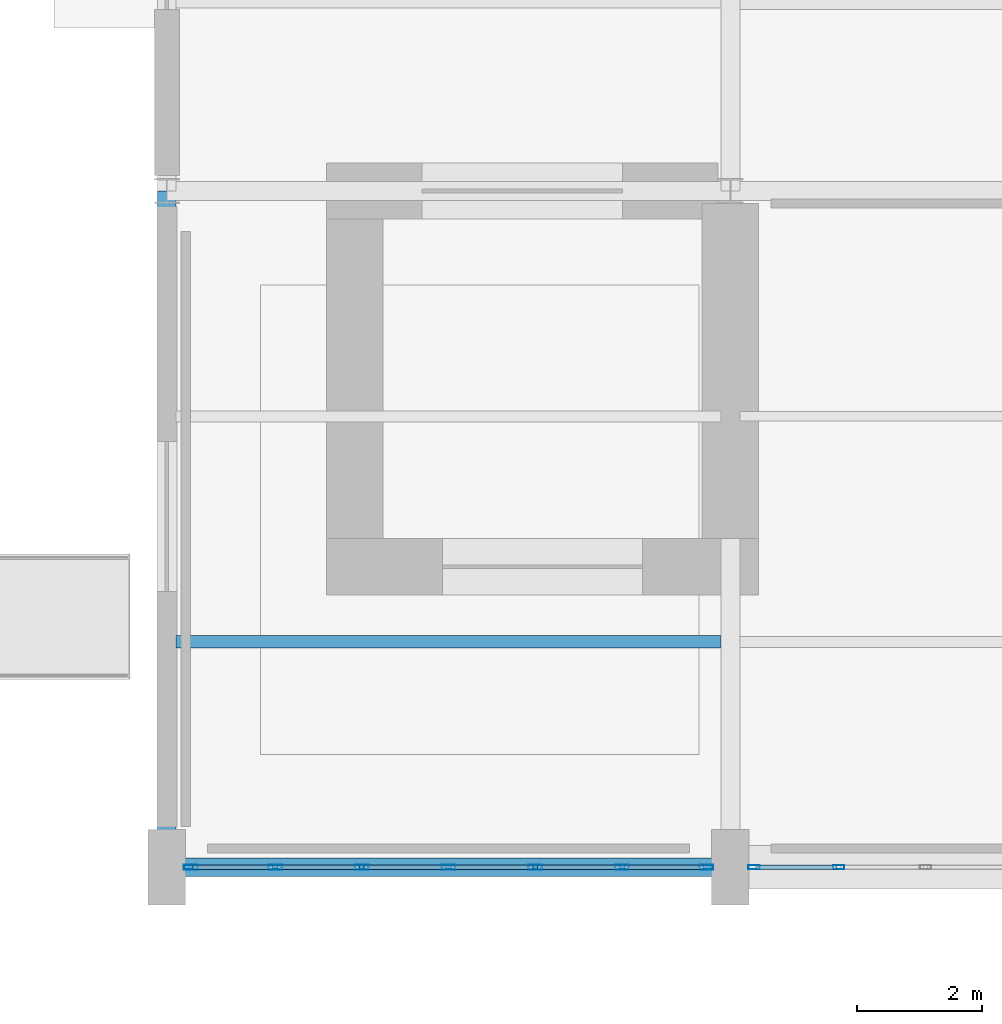
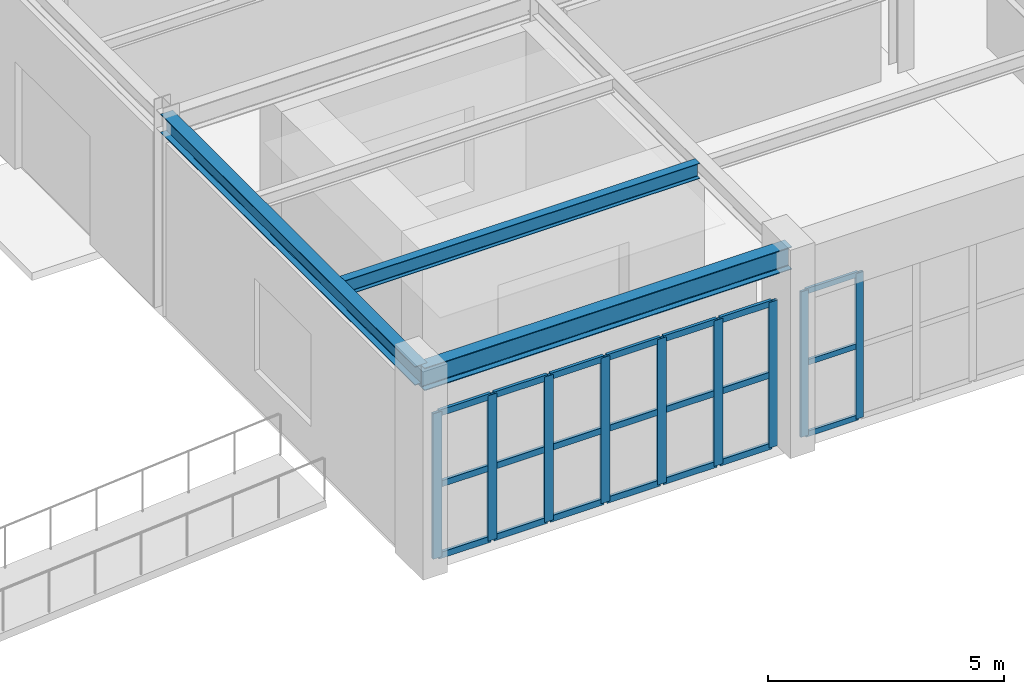
# One storey, part 23 of 140: 30 members, 3 beams, 2 elements without a shape of their own.
"""IFC4 building model written with IfcOpenShell, lengths in metres."""

from ifc_helpers import new_model, si_unit, direction, frame, origin, origin_2d, place, context, subcontext, project, spatial, hollow_rectangle, i_section, extrude, material, material_profile, profile_set, type_object, element, aggregate, save


model = new_model("IFC4")

# Units and contexts
model_context = context("Model", 3, precision=1e-05, world=origin(), true_north=direction((0.0, 1.0)))
body_context = subcontext(model_context, "Body", "Model", "MODEL_VIEW")
ifc_project = project(units=[si_unit("LENGTHUNIT", "METRE"), si_unit("AREAUNIT", "SQUARE_METRE"), si_unit("VOLUMEUNIT", "CUBIC_METRE"), si_unit("PLANEANGLEUNIT", "RADIAN"), si_unit("MASSUNIT", "GRAM", prefix="KILO")], contexts=[model_context])

# Site, building, storey
site_placement = place(None, origin())
site = spatial("IfcSite", under=ifc_project, at=site_placement, CompositionType="ELEMENT")
building_placement = place(site_placement, origin())
building = spatial("IfcBuilding", under=site, at=building_placement, Name="Haizhuo Lancet Aquarium", CompositionType="ELEMENT")
storey_placement = place(building_placement, origin())
storey = spatial("IfcBuildingStorey", under=building, at=storey_placement, Name="L00", CompositionType="ELEMENT", Elevation=0.0)

# Beams
ifc_material_1 = material(Name="Steel S355", Category="steel")
ifc_material_profile_1 = material_profile(ifc_material_1, i_section(OverallWidth=0.300048828125, OverallDepth=0.488037109375, WebThickness=0.010986328125, FlangeThickness=0.01806640625, FilletRadius=0.02392578125, at=origin_2d()), Name="HM 488x300x11x18")
ifc_profile_set_1 = profile_set([ifc_material_profile_1], Name="Steel S355")
beam_type_1 = type_object("IfcBeamType", Name="BM-ST-HM488", PredefinedType="BEAM", material=ifc_profile_set_1)
beam_1_placement = place(storey_placement, frame((-18.0, -55.800048828125, 4.8759765625), z_axis=(0.0, 1.0, 0.0), x_axis=(-1.0, 0.0, 0.0)))
element("IfcBeam", 1, at=beam_1_placement, inside=storey, type_object=beam_type_1, Name="L00 V4 primary girder BM-L00-V4-001", PredefinedType="BEAM", context=body_context, shape_type="SweptSolid", body=[
    extrude(i_section(OverallWidth=0.300048828125, OverallDepth=0.488037109375, WebThickness=0.010986328125, FlangeThickness=0.01806640625, FilletRadius=0.02392578125, at=origin_2d()), origin(), (0.0, 0.0, 1.0), 10.800048828125),
])
ifc_material_profile_2 = material_profile(ifc_material_1, i_section(OverallWidth=0.300048828125, OverallDepth=0.587890625, WebThickness=0.011962890625, FlangeThickness=0.02001953125, FilletRadius=0.02587890625, at=origin_2d()), Name="HM 588x300x12x20")
ifc_profile_set_2 = profile_set([ifc_material_profile_2], Name="Steel S355")
beam_type_2 = type_object("IfcBeamType", Name="BM-ST-HM588", PredefinedType="BEAM", material=ifc_profile_set_2)
beam_2_placement = place(storey_placement, frame((-18.0, -55.800048828125, 4.825927734375), z_axis=(1.0, 0.0, 0.0), x_axis=(0.0, 1.0, 0.0)))
element("IfcBeam", 2, at=beam_2_placement, inside=storey, type_object=beam_type_2, Name="L00 V4 primary girder BM-L00-V4-002", PredefinedType="BEAM", context=body_context, shape_type="SweptSolid", body=[
    extrude(i_section(OverallWidth=0.300048828125, OverallDepth=0.587890625, WebThickness=0.011962890625, FlangeThickness=0.02001953125, FilletRadius=0.02587890625, at=origin_2d()), origin(), (0.0, 0.0, 1.0), 9.0),
])

# Curtain wall, members
ifc_material_2 = material(Name="Aluminium 6063-T6", Category="aluminium")
curtain_wall_type = type_object("IfcCurtainWallType", Name="CWO-8310x3770", PredefinedType="NOTDEFINED", material=ifc_material_2)
curtain_wall_1_placement = place(storey_placement, origin())
curtain_wall_1 = element("IfcCurtainWall", 3, at=curtain_wall_1_placement, inside=storey, type_object=curtain_wall_type, Name="L00 curtain wall CW-V4-L00-088", PredefinedType="NOTDEFINED")
ifc_material_profile_3 = material_profile(ifc_material_2, hollow_rectangle(XDim=0.06494140625, YDim=0.179931640625, WallThickness=0.00390625, at=origin_2d()), Name="ALU-M 65x180x4")
ifc_profile_set_3 = profile_set([ifc_material_profile_3], Name="Aluminium 6063-T6")
member_type_1 = type_object("IfcMemberType", Name="CW-MUL-1", PredefinedType="MULLION", material=ifc_profile_set_3)
member_1_placement = place(storey_placement, frame((-7.27001953125, -55.800048828125, 0.0), z_axis=(0.0, 0.0, 1.0), x_axis=(0.0, -1.0, 0.0)))
member_1 = element("IfcMember", 4, at=member_1_placement, type_object=member_type_1, Name="CWO-83x37 mullion 6", PredefinedType="MULLION", context=body_context, shape_type="SweptSolid", body=[
    extrude(hollow_rectangle(XDim=0.06494140625, YDim=0.179931640625, WallThickness=0.00390625, at=origin_2d()), origin(), (0.0, 0.0, 1.0), 3.77001953125),
])
member_2_placement = place(storey_placement, frame((-8.6220703125, -55.800048828125, 0.0), z_axis=(0.0, 0.0, 1.0), x_axis=(0.0, -1.0, 0.0)))
member_2 = element("IfcMember", 5, at=member_2_placement, type_object=member_type_1, Name="CWO-83x37 mullion 7", PredefinedType="MULLION", context=body_context, shape_type="SweptSolid", body=[
    extrude(hollow_rectangle(XDim=0.06494140625, YDim=0.179931640625, WallThickness=0.00390625, at=origin_2d()), origin(), (0.0, 0.0, 1.0), 3.77001953125),
])

curtain_wall_2_placement = place(storey_placement, origin())
curtain_wall_2 = element("IfcCurtainWall", 6, at=curtain_wall_2_placement, inside=storey, type_object=curtain_wall_type, Name="L00 curtain wall CW-V4-L00-089", PredefinedType="NOTDEFINED")
ifc_material_profile_4 = material_profile(ifc_material_2, hollow_rectangle(XDim=0.074951171875, YDim=0.219970703125, WallThickness=0.0048828125, at=origin_2d()), Name="ALU-M 75x220x5")
ifc_profile_set_4 = profile_set([ifc_material_profile_4], Name="Aluminium 6063-T6")
member_type_2 = type_object("IfcMemberType", Name="CW-MUL-2", PredefinedType="MULLION", material=ifc_profile_set_4)
member_3_placement = place(storey_placement, frame((-9.383056640625, -55.800048828125, 0.0), z_axis=(0.0, 0.0, 1.0), x_axis=(0.0, -1.0, 0.0)))
member_3 = element("IfcMember", 7, at=member_3_placement, type_object=member_type_2, Name="CWO-83x37 mullion 1", PredefinedType="MULLION", context=body_context, shape_type="SweptSolid", body=[
    extrude(hollow_rectangle(XDim=0.074951171875, YDim=0.219970703125, WallThickness=0.0048828125, at=origin_2d()), origin(), (0.0, 0.0, 1.0), 3.77001953125),
])
member_4_placement = place(storey_placement, frame((-10.72998046875, -55.800048828125, 0.0), z_axis=(0.0, 0.0, 1.0), x_axis=(0.0, -1.0, 0.0)))
member_4 = element("IfcMember", 8, at=member_4_placement, type_object=member_type_2, Name="CWO-83x37 mullion 2", PredefinedType="MULLION", context=body_context, shape_type="SweptSolid", body=[
    extrude(hollow_rectangle(XDim=0.074951171875, YDim=0.219970703125, WallThickness=0.0048828125, at=origin_2d()), origin(), (0.0, 0.0, 1.0), 3.77001953125),
])
member_5_placement = place(storey_placement, frame((-12.114990234375, -55.800048828125, 0.0), z_axis=(0.0, 0.0, 1.0), x_axis=(0.0, -1.0, 0.0)))
member_5 = element("IfcMember", 9, at=member_5_placement, type_object=member_type_2, Name="CWO-83x37 mullion 3", PredefinedType="MULLION", context=body_context, shape_type="SweptSolid", body=[
    extrude(hollow_rectangle(XDim=0.074951171875, YDim=0.219970703125, WallThickness=0.0048828125, at=origin_2d()), origin(), (0.0, 0.0, 1.0), 3.77001953125),
])
member_6_placement = place(storey_placement, frame((-13.5, -55.800048828125, 0.0), z_axis=(0.0, 0.0, 1.0), x_axis=(0.0, -1.0, 0.0)))
member_6 = element("IfcMember", 10, at=member_6_placement, type_object=member_type_2, Name="CWO-83x37 mullion 4", PredefinedType="MULLION", context=body_context, shape_type="SweptSolid", body=[
    extrude(hollow_rectangle(XDim=0.074951171875, YDim=0.219970703125, WallThickness=0.0048828125, at=origin_2d()), origin(), (0.0, 0.0, 1.0), 3.77001953125),
])
member_7_placement = place(storey_placement, frame((-14.885009765625, -55.800048828125, 0.0), z_axis=(0.0, 0.0, 1.0), x_axis=(0.0, -1.0, 0.0)))
member_7 = element("IfcMember", 11, at=member_7_placement, type_object=member_type_2, Name="CWO-83x37 mullion 5", PredefinedType="MULLION", context=body_context, shape_type="SweptSolid", body=[
    extrude(hollow_rectangle(XDim=0.074951171875, YDim=0.219970703125, WallThickness=0.0048828125, at=origin_2d()), origin(), (0.0, 0.0, 1.0), 3.77001953125),
])
member_8_placement = place(storey_placement, frame((-16.27001953125, -55.800048828125, 0.0), z_axis=(0.0, 0.0, 1.0), x_axis=(0.0, -1.0, 0.0)))
member_8 = element("IfcMember", 12, at=member_8_placement, type_object=member_type_2, Name="CWO-83x37 mullion 6", PredefinedType="MULLION", context=body_context, shape_type="SweptSolid", body=[
    extrude(hollow_rectangle(XDim=0.074951171875, YDim=0.219970703125, WallThickness=0.0048828125, at=origin_2d()), origin(), (0.0, 0.0, 1.0), 3.77001953125),
])
member_9_placement = place(storey_placement, frame((-17.616943359375, -55.800048828125, 0.0), z_axis=(0.0, 0.0, 1.0), x_axis=(0.0, -1.0, 0.0)))
member_9 = element("IfcMember", 13, at=member_9_placement, type_object=member_type_2, Name="CWO-83x37 mullion 7", PredefinedType="MULLION", context=body_context, shape_type="SweptSolid", body=[
    extrude(hollow_rectangle(XDim=0.074951171875, YDim=0.219970703125, WallThickness=0.0048828125, at=origin_2d()), origin(), (0.0, 0.0, 1.0), 3.77001953125),
])

# Member
ifc_material_profile_5 = material_profile(ifc_material_2, hollow_rectangle(XDim=0.06494140625, YDim=0.139892578125, WallThickness=0.00390625, at=origin_2d()), Name="ALU-T 65x140x4")
ifc_profile_set_5 = profile_set([ifc_material_profile_5], Name="Aluminium 6063-T6")
member_type_3 = type_object("IfcMemberType", Name="CW-TRN-1", PredefinedType="NOTDEFINED", material=ifc_profile_set_5)
member_10_placement = place(storey_placement, frame((-7.302001953125, -55.800048828125, 0.032958984375), z_axis=(-1.0, 0.0, 0.0), x_axis=(0.0, -1.0, 0.0)))
member_10 = element("IfcMember", 14, at=member_10_placement, type_object=member_type_3, Name="CWO-83x37 transom 6.1", ObjectType="TRANSOM", PredefinedType="USERDEFINED", context=body_context, shape_type="SweptSolid", body=[
    extrude(hollow_rectangle(XDim=0.06494140625, YDim=0.139892578125, WallThickness=0.00390625, at=origin_2d()), origin(), (0.0, 0.0, 1.0), 1.2880859375),
])

member_11_placement = place(storey_placement, frame((-7.302001953125, -55.800048828125, 1.885009765625), z_axis=(-1.0, 0.0, 0.0), x_axis=(0.0, -1.0, 0.0)))
member_11 = element("IfcMember", 15, at=member_11_placement, type_object=member_type_3, Name="CWO-83x37 transom 6.2", ObjectType="TRANSOM", PredefinedType="USERDEFINED", context=body_context, shape_type="SweptSolid", body=[
    extrude(hollow_rectangle(XDim=0.06494140625, YDim=0.139892578125, WallThickness=0.00390625, at=origin_2d()), origin(), (0.0, 0.0, 1.0), 1.2880859375),
])

member_12_placement = place(storey_placement, frame((-7.302001953125, -55.800048828125, 3.737060546875), z_axis=(-1.0, 0.0, 0.0), x_axis=(0.0, -1.0, 0.0)))
member_12 = element("IfcMember", 16, at=member_12_placement, type_object=member_type_3, Name="CWO-83x37 transom 6.3", ObjectType="TRANSOM", PredefinedType="USERDEFINED", context=body_context, shape_type="SweptSolid", body=[
    extrude(hollow_rectangle(XDim=0.06494140625, YDim=0.139892578125, WallThickness=0.00390625, at=origin_2d()), origin(), (0.0, 0.0, 1.0), 1.2880859375),
])

aggregate(curtain_wall_1, [member_1, member_2, member_10, member_11, member_12])

ifc_material_profile_6 = material_profile(ifc_material_2, hollow_rectangle(XDim=0.074951171875, YDim=0.159912109375, WallThickness=0.00390625, at=origin_2d()), Name="ALU-T 75x160x4")
ifc_profile_set_6 = profile_set([ifc_material_profile_6], Name="Aluminium 6063-T6")
member_type_4 = type_object("IfcMemberType", Name="CW-TRN-2", PredefinedType="NOTDEFINED", material=ifc_profile_set_6)
member_13_placement = place(storey_placement, frame((-9.419921875, -55.800048828125, 0.037109375), z_axis=(-1.0, 0.0, 0.0), x_axis=(0.0, -1.0, 0.0)))
member_13 = element("IfcMember", 17, at=member_13_placement, type_object=member_type_4, Name="CWO-83x37 transom 1.1", ObjectType="TRANSOM", PredefinedType="USERDEFINED", context=body_context, shape_type="SweptSolid", body=[
    extrude(hollow_rectangle(XDim=0.074951171875, YDim=0.159912109375, WallThickness=0.00390625, at=origin_2d()), origin(), (0.0, 0.0, 1.0), 1.273193359375),
])

member_14_placement = place(storey_placement, frame((-9.419921875, -55.800048828125, 1.885009765625), z_axis=(-1.0, 0.0, 0.0), x_axis=(0.0, -1.0, 0.0)))
member_14 = element("IfcMember", 18, at=member_14_placement, type_object=member_type_4, Name="CWO-83x37 transom 1.2", ObjectType="TRANSOM", PredefinedType="USERDEFINED", context=body_context, shape_type="SweptSolid", body=[
    extrude(hollow_rectangle(XDim=0.074951171875, YDim=0.159912109375, WallThickness=0.00390625, at=origin_2d()), origin(), (0.0, 0.0, 1.0), 1.273193359375),
])

member_15_placement = place(storey_placement, frame((-9.419921875, -55.800048828125, 3.73193359375), z_axis=(-1.0, 0.0, 0.0), x_axis=(0.0, -1.0, 0.0)))
member_15 = element("IfcMember", 19, at=member_15_placement, type_object=member_type_4, Name="CWO-83x37 transom 1.3", ObjectType="TRANSOM", PredefinedType="USERDEFINED", context=body_context, shape_type="SweptSolid", body=[
    extrude(hollow_rectangle(XDim=0.074951171875, YDim=0.159912109375, WallThickness=0.00390625, at=origin_2d()), origin(), (0.0, 0.0, 1.0), 1.273193359375),
])

member_16_placement = place(storey_placement, frame((-10.76806640625, -55.800048828125, 0.037109375), z_axis=(-1.0, 0.0, 0.0), x_axis=(0.0, -1.0, 0.0)))
member_16 = element("IfcMember", 20, at=member_16_placement, type_object=member_type_4, Name="CWO-83x37 transom 2.1", ObjectType="TRANSOM", PredefinedType="USERDEFINED", context=body_context, shape_type="SweptSolid", body=[
    extrude(hollow_rectangle(XDim=0.074951171875, YDim=0.159912109375, WallThickness=0.00390625, at=origin_2d()), origin(), (0.0, 0.0, 1.0), 1.309814453125),
])

member_17_placement = place(storey_placement, frame((-10.76806640625, -55.800048828125, 1.885009765625), z_axis=(-1.0, 0.0, 0.0), x_axis=(0.0, -1.0, 0.0)))
member_17 = element("IfcMember", 21, at=member_17_placement, type_object=member_type_4, Name="CWO-83x37 transom 2.2", ObjectType="TRANSOM", PredefinedType="USERDEFINED", context=body_context, shape_type="SweptSolid", body=[
    extrude(hollow_rectangle(XDim=0.074951171875, YDim=0.159912109375, WallThickness=0.00390625, at=origin_2d()), origin(), (0.0, 0.0, 1.0), 1.309814453125),
])

member_18_placement = place(storey_placement, frame((-10.76806640625, -55.800048828125, 3.73193359375), z_axis=(-1.0, 0.0, 0.0), x_axis=(0.0, -1.0, 0.0)))
member_18 = element("IfcMember", 22, at=member_18_placement, type_object=member_type_4, Name="CWO-83x37 transom 2.3", ObjectType="TRANSOM", PredefinedType="USERDEFINED", context=body_context, shape_type="SweptSolid", body=[
    extrude(hollow_rectangle(XDim=0.074951171875, YDim=0.159912109375, WallThickness=0.00390625, at=origin_2d()), origin(), (0.0, 0.0, 1.0), 1.309814453125),
])

member_19_placement = place(storey_placement, frame((-12.152099609375, -55.800048828125, 0.037109375), z_axis=(-1.0, 0.0, 0.0), x_axis=(0.0, -1.0, 0.0)))
member_19 = element("IfcMember", 23, at=member_19_placement, type_object=member_type_4, Name="CWO-83x37 transom 3.1", ObjectType="TRANSOM", PredefinedType="USERDEFINED", context=body_context, shape_type="SweptSolid", body=[
    extrude(hollow_rectangle(XDim=0.074951171875, YDim=0.159912109375, WallThickness=0.00390625, at=origin_2d()), origin(), (0.0, 0.0, 1.0), 1.310791015625),
])

member_20_placement = place(storey_placement, frame((-12.152099609375, -55.800048828125, 1.885009765625), z_axis=(-1.0, 0.0, 0.0), x_axis=(0.0, -1.0, 0.0)))
member_20 = element("IfcMember", 24, at=member_20_placement, type_object=member_type_4, Name="CWO-83x37 transom 3.2", ObjectType="TRANSOM", PredefinedType="USERDEFINED", context=body_context, shape_type="SweptSolid", body=[
    extrude(hollow_rectangle(XDim=0.074951171875, YDim=0.159912109375, WallThickness=0.00390625, at=origin_2d()), origin(), (0.0, 0.0, 1.0), 1.310791015625),
])

member_21_placement = place(storey_placement, frame((-12.152099609375, -55.800048828125, 3.73193359375), z_axis=(-1.0, 0.0, 0.0), x_axis=(0.0, -1.0, 0.0)))
member_21 = element("IfcMember", 25, at=member_21_placement, type_object=member_type_4, Name="CWO-83x37 transom 3.3", ObjectType="TRANSOM", PredefinedType="USERDEFINED", context=body_context, shape_type="SweptSolid", body=[
    extrude(hollow_rectangle(XDim=0.074951171875, YDim=0.159912109375, WallThickness=0.00390625, at=origin_2d()), origin(), (0.0, 0.0, 1.0), 1.310791015625),
])

member_22_placement = place(storey_placement, frame((-13.5380859375, -55.800048828125, 0.037109375), z_axis=(-1.0, 0.0, 0.0), x_axis=(0.0, -1.0, 0.0)))
member_22 = element("IfcMember", 26, at=member_22_placement, type_object=member_type_4, Name="CWO-83x37 transom 4.1", ObjectType="TRANSOM", PredefinedType="USERDEFINED", context=body_context, shape_type="SweptSolid", body=[
    extrude(hollow_rectangle(XDim=0.074951171875, YDim=0.159912109375, WallThickness=0.00390625, at=origin_2d()), origin(), (0.0, 0.0, 1.0), 1.309814453125),
])

member_23_placement = place(storey_placement, frame((-13.5380859375, -55.800048828125, 1.885009765625), z_axis=(-1.0, 0.0, 0.0), x_axis=(0.0, -1.0, 0.0)))
member_23 = element("IfcMember", 27, at=member_23_placement, type_object=member_type_4, Name="CWO-83x37 transom 4.2", ObjectType="TRANSOM", PredefinedType="USERDEFINED", context=body_context, shape_type="SweptSolid", body=[
    extrude(hollow_rectangle(XDim=0.074951171875, YDim=0.159912109375, WallThickness=0.00390625, at=origin_2d()), origin(), (0.0, 0.0, 1.0), 1.309814453125),
])

member_24_placement = place(storey_placement, frame((-13.5380859375, -55.800048828125, 3.73193359375), z_axis=(-1.0, 0.0, 0.0), x_axis=(0.0, -1.0, 0.0)))
member_24 = element("IfcMember", 28, at=member_24_placement, type_object=member_type_4, Name="CWO-83x37 transom 4.3", ObjectType="TRANSOM", PredefinedType="USERDEFINED", context=body_context, shape_type="SweptSolid", body=[
    extrude(hollow_rectangle(XDim=0.074951171875, YDim=0.159912109375, WallThickness=0.00390625, at=origin_2d()), origin(), (0.0, 0.0, 1.0), 1.309814453125),
])

member_25_placement = place(storey_placement, frame((-14.922119140625, -55.800048828125, 0.037109375), z_axis=(-1.0, 0.0, 0.0), x_axis=(0.0, -1.0, 0.0)))
member_25 = element("IfcMember", 29, at=member_25_placement, type_object=member_type_4, Name="CWO-83x37 transom 5.1", ObjectType="TRANSOM", PredefinedType="USERDEFINED", context=body_context, shape_type="SweptSolid", body=[
    extrude(hollow_rectangle(XDim=0.074951171875, YDim=0.159912109375, WallThickness=0.00390625, at=origin_2d()), origin(), (0.0, 0.0, 1.0), 1.310791015625),
])

member_26_placement = place(storey_placement, frame((-14.922119140625, -55.800048828125, 1.885009765625), z_axis=(-1.0, 0.0, 0.0), x_axis=(0.0, -1.0, 0.0)))
member_26 = element("IfcMember", 30, at=member_26_placement, type_object=member_type_4, Name="CWO-83x37 transom 5.2", ObjectType="TRANSOM", PredefinedType="USERDEFINED", context=body_context, shape_type="SweptSolid", body=[
    extrude(hollow_rectangle(XDim=0.074951171875, YDim=0.159912109375, WallThickness=0.00390625, at=origin_2d()), origin(), (0.0, 0.0, 1.0), 1.310791015625),
])

member_27_placement = place(storey_placement, frame((-14.922119140625, -55.800048828125, 3.73193359375), z_axis=(-1.0, 0.0, 0.0), x_axis=(0.0, -1.0, 0.0)))
member_27 = element("IfcMember", 31, at=member_27_placement, type_object=member_type_4, Name="CWO-83x37 transom 5.3", ObjectType="TRANSOM", PredefinedType="USERDEFINED", context=body_context, shape_type="SweptSolid", body=[
    extrude(hollow_rectangle(XDim=0.074951171875, YDim=0.159912109375, WallThickness=0.00390625, at=origin_2d()), origin(), (0.0, 0.0, 1.0), 1.310791015625),
])

member_28_placement = place(storey_placement, frame((-16.30810546875, -55.800048828125, 0.037109375), z_axis=(-1.0, 0.0, 0.0), x_axis=(0.0, -1.0, 0.0)))
member_28 = element("IfcMember", 32, at=member_28_placement, type_object=member_type_4, Name="CWO-83x37 transom 6.1", ObjectType="TRANSOM", PredefinedType="USERDEFINED", context=body_context, shape_type="SweptSolid", body=[
    extrude(hollow_rectangle(XDim=0.074951171875, YDim=0.159912109375, WallThickness=0.00390625, at=origin_2d()), origin(), (0.0, 0.0, 1.0), 1.27197265625),
])

member_29_placement = place(storey_placement, frame((-16.30810546875, -55.800048828125, 1.885009765625), z_axis=(-1.0, 0.0, 0.0), x_axis=(0.0, -1.0, 0.0)))
member_29 = element("IfcMember", 33, at=member_29_placement, type_object=member_type_4, Name="CWO-83x37 transom 6.2", ObjectType="TRANSOM", PredefinedType="USERDEFINED", context=body_context, shape_type="SweptSolid", body=[
    extrude(hollow_rectangle(XDim=0.074951171875, YDim=0.159912109375, WallThickness=0.00390625, at=origin_2d()), origin(), (0.0, 0.0, 1.0), 1.27197265625),
])

member_30_placement = place(storey_placement, frame((-16.30810546875, -55.800048828125, 3.73193359375), z_axis=(-1.0, 0.0, 0.0), x_axis=(0.0, -1.0, 0.0)))
member_30 = element("IfcMember", 34, at=member_30_placement, type_object=member_type_4, Name="CWO-83x37 transom 6.3", ObjectType="TRANSOM", PredefinedType="USERDEFINED", context=body_context, shape_type="SweptSolid", body=[
    extrude(hollow_rectangle(XDim=0.074951171875, YDim=0.159912109375, WallThickness=0.00390625, at=origin_2d()), origin(), (0.0, 0.0, 1.0), 1.27197265625),
])

aggregate(curtain_wall_2, [member_3, member_4, member_5, member_6, member_7, member_8, member_9, member_13, member_14, member_15, member_16, member_17, member_18, member_19, member_20, member_21, member_22, member_23, member_24, member_25, member_26, member_27, member_28, member_29, member_30])

# Beam
ifc_material_profile_7 = material_profile(ifc_material_1, i_section(OverallWidth=0.199951171875, OverallDepth=0.39990234375, WebThickness=0.008056640625, FlangeThickness=0.012939453125, FilletRadius=0.01611328125, at=origin_2d()), Name="HN 400x200x8x13")
ifc_profile_set_7 = profile_set([ifc_material_profile_7], Name="Steel S355")
beam_type_3 = type_object("IfcBeamType", Name="JST-ST-HN400", PredefinedType="JOIST", material=ifc_profile_set_7)
beam_3_placement = place(storey_placement, frame((-17.85009765625, -52.199951171875, 4.919921875), z_axis=(1.0, 0.0, 0.0), x_axis=(0.0, 1.0, 0.0)))
element("IfcBeam", 35, at=beam_3_placement, inside=storey, type_object=beam_type_3, Name="L00 V4 secondary floor joist 1", PredefinedType="JOIST", context=body_context, shape_type="SweptSolid", body=[
    extrude(i_section(OverallWidth=0.199951171875, OverallDepth=0.39990234375, WebThickness=0.008056640625, FlangeThickness=0.012939453125, FilletRadius=0.01611328125, at=origin_2d()), origin(), (0.0, 0.0, 1.0), 8.7001953125),
])

save(model, "model.ifc")
